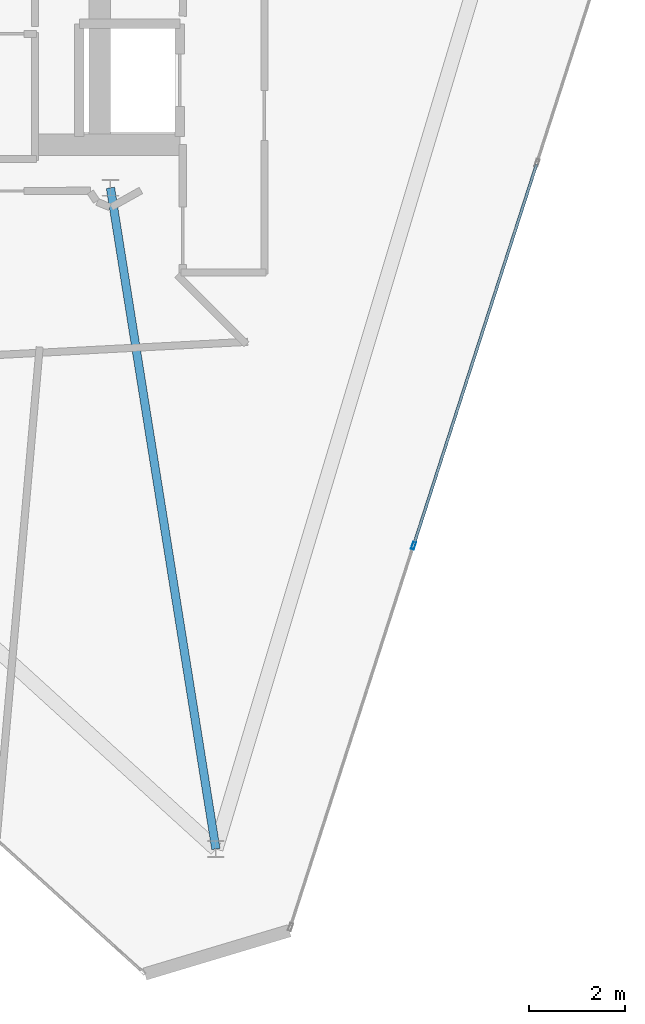
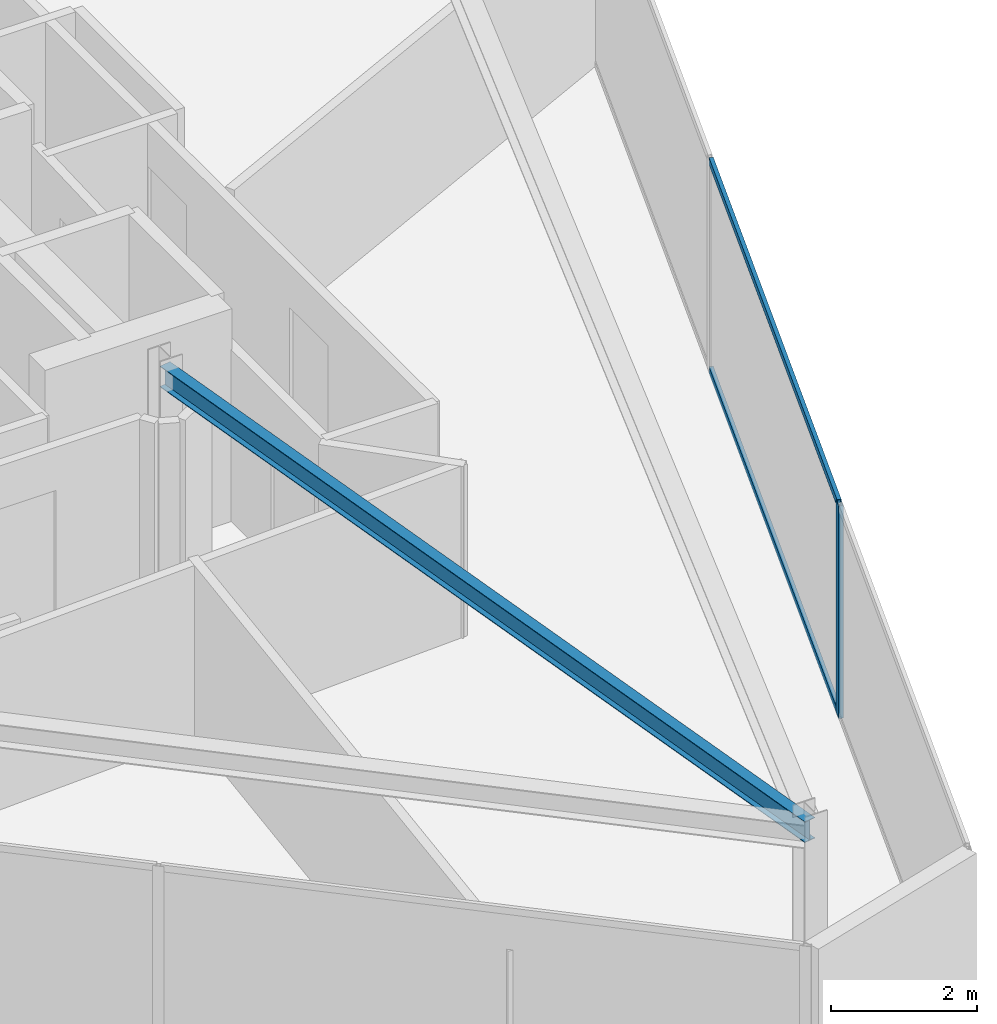
# One storey, part 6 of 15: 3 members, 1 beam, 1 element without a shape of its own.
"""IFC4 building model written with IfcOpenShell, lengths in metres."""

from ifc_helpers import new_model, si_unit, direction, frame, origin, origin_2d, place, context, subcontext, project, spatial, hollow_rectangle, i_section, extrude, material, layer, layer_set, material_profile, profile_set, type_object, element, aggregate, save


model = new_model("IFC4")

# Units and contexts
model_context = context("Model", 3, precision=1e-05, world=origin(), true_north=direction((0.0, 1.0)))
body_context = subcontext(model_context, "Body", "Model", "MODEL_VIEW")
ifc_project = project(units=[si_unit("LENGTHUNIT", "METRE"), si_unit("AREAUNIT", "SQUARE_METRE"), si_unit("VOLUMEUNIT", "CUBIC_METRE"), si_unit("PLANEANGLEUNIT", "RADIAN"), si_unit("MASSUNIT", "GRAM", prefix="KILO")], contexts=[model_context])

# Site, building, storey
site_placement = place(None, origin())
site = spatial("IfcSite", under=ifc_project, at=site_placement, CompositionType="ELEMENT")
building_placement = place(site_placement, origin())
building = spatial("IfcBuilding", under=site, at=building_placement, Name="Qianvela Tower", CompositionType="ELEMENT")
storey_placement = place(building_placement, frame((0.0, 0.0, 360.050048828125)))
storey = spatial("IfcBuildingStorey", under=building, at=storey_placement, Name="L93", CompositionType="ELEMENT", Elevation=360.050048828125)

# Beam
ifc_material_1 = material(Name="Steel Q355B", Category="steel")
ifc_material_profile_1 = material_profile(ifc_material_1, i_section(OverallWidth=0.175048828125, OverallDepth=0.35009765625, WebThickness=0.007080078125, FlangeThickness=0.010986328125, at=origin_2d()), Name="HN350x175x7x11")
ifc_profile_set_1 = profile_set([ifc_material_profile_1], Name="Steel Q355B")
beam_type = type_object("IfcBeamType", Name="BM-HN350-JOIST", PredefinedType="JOIST", material=ifc_profile_set_1)
beam_placement = place(storey_placement, frame((38.39990234375, 23.85009765625, 3.373046875), z_axis=(0.157462605368, -0.987524950526, 0.0), x_axis=(0.987524950526, 0.157462605368, 0.0)))
element("IfcBeam", 1, at=beam_placement, inside=storey, type_object=beam_type, Name="L93 Crown Radial Floor Girder 2", PredefinedType="JOIST", context=body_context, shape_type="SweptSolid", body=[
    extrude(i_section(OverallWidth=0.175048828125, OverallDepth=0.35009765625, WebThickness=0.007080078125, FlangeThickness=0.010986328125, at=origin_2d()), origin(), (0.0, 0.0, 1.0), 13.99755859375),
])

# Curtain wall, members
ifc_material_2 = material(Name="Anodised Architectural Aluminium and Low-E Glass", Category="aluminium")
ifc_layer = layer(ifc_material_2, 0.159912109375)
ifc_layer_set = layer_set([ifc_layer], Name="Anodised Architectural Aluminium and Low-E Glass")
curtain_wall_type = type_object("IfcCurtainWallType", Name="CW-CROWN", PredefinedType="USERDEFINED", material=ifc_layer_set)
curtain_wall_placement = place(storey_placement, origin())
curtain_wall = element("IfcCurtainWall", 2, at=curtain_wall_placement, inside=storey, type_object=curtain_wall_type, Name="L93 CW-CROWN Curtain Wall 06", ObjectType="CURTAIN_WALL_SYSTEM", PredefinedType="USERDEFINED")
ifc_material_3 = material(Name="Anodised Architectural Aluminium 6063-T6", Category="aluminium")
ifc_material_profile_2 = material_profile(ifc_material_3, hollow_rectangle(XDim=0.06494140625, YDim=0.159912109375, WallThickness=0.0048828125, at=origin_2d()), Name="ALU-MULL-65x160")
ifc_profile_set_2 = profile_set([ifc_material_profile_2], Name="Anodised Architectural Aluminium 6063-T6")
member_type_1 = type_object("IfcMemberType", Name="CW-CROWN-MULL", PredefinedType="MULLION", material=ifc_profile_set_2)
member_1_placement = place(storey_placement, frame((44.7373046875, 16.36865234375, 0.0), z_axis=(0.0, 0.0, 1.0), x_axis=(-0.951691135027, 0.307056971117, 0.0)))
member_1 = element("IfcMember", 3, at=member_1_placement, type_object=member_type_1, Name="CW-8 mullion 2", PredefinedType="MULLION", context=body_context, shape_type="SweptSolid", body=[
    extrude(hollow_rectangle(XDim=0.06494140625, YDim=0.159912109375, WallThickness=0.0048828125, at=origin_2d()), origin(), (0.0, 0.0, 1.0), 3.550048828125),
])
ifc_material_4 = material(Name="Anodised Architectural Aluminium 6063-T6", Category="aluminium")
ifc_material_profile_3 = material_profile(ifc_material_4, hollow_rectangle(XDim=0.06005859375, YDim=0.114990234375, WallThickness=0.00390625, at=origin_2d()), Name="ALU-TRAN-60x115")
ifc_profile_set_3 = profile_set([ifc_material_profile_3], Name="Anodised Architectural Aluminium 6063-T6")
member_type_2 = type_object("IfcMemberType", Name="CW-CROWN-TRAN", PredefinedType="USERDEFINED", material=ifc_profile_set_3)
member_2_placement = place(storey_placement, frame((44.7470703125, 16.3994140625, 0.030029296875), z_axis=(0.307060043043, 0.951690143884, 0.0), x_axis=(-0.951690143884, 0.307060043043, 0.0)))
member_2 = element("IfcMember", 4, at=member_2_placement, type_object=member_type_2, Name="CW-8 transom 2.1", ObjectType="TRANSOM", PredefinedType="USERDEFINED", context=body_context, shape_type="SweptSolid", body=[
    extrude(hollow_rectangle(XDim=0.06005859375, YDim=0.114990234375, WallThickness=0.00390625, at=origin_2d()), origin(), (0.0, 0.0, 1.0), 8.345947265625),
])
member_3_placement = place(storey_placement, frame((44.7470703125, 16.3994140625, 3.52001953125), z_axis=(0.307060043043, 0.951690143884, 0.0), x_axis=(-0.951690143884, 0.307060043043, 0.0)))
member_3 = element("IfcMember", 5, at=member_3_placement, type_object=member_type_2, Name="CW-8 transom 2.2", ObjectType="TRANSOM", PredefinedType="USERDEFINED", context=body_context, shape_type="SweptSolid", body=[
    extrude(hollow_rectangle(XDim=0.06005859375, YDim=0.114990234375, WallThickness=0.00390625, at=origin_2d()), origin(), (0.0, 0.0, 1.0), 8.345947265625),
])
aggregate(curtain_wall, [member_1, member_2, member_3])

save(model, "model.ifc")
